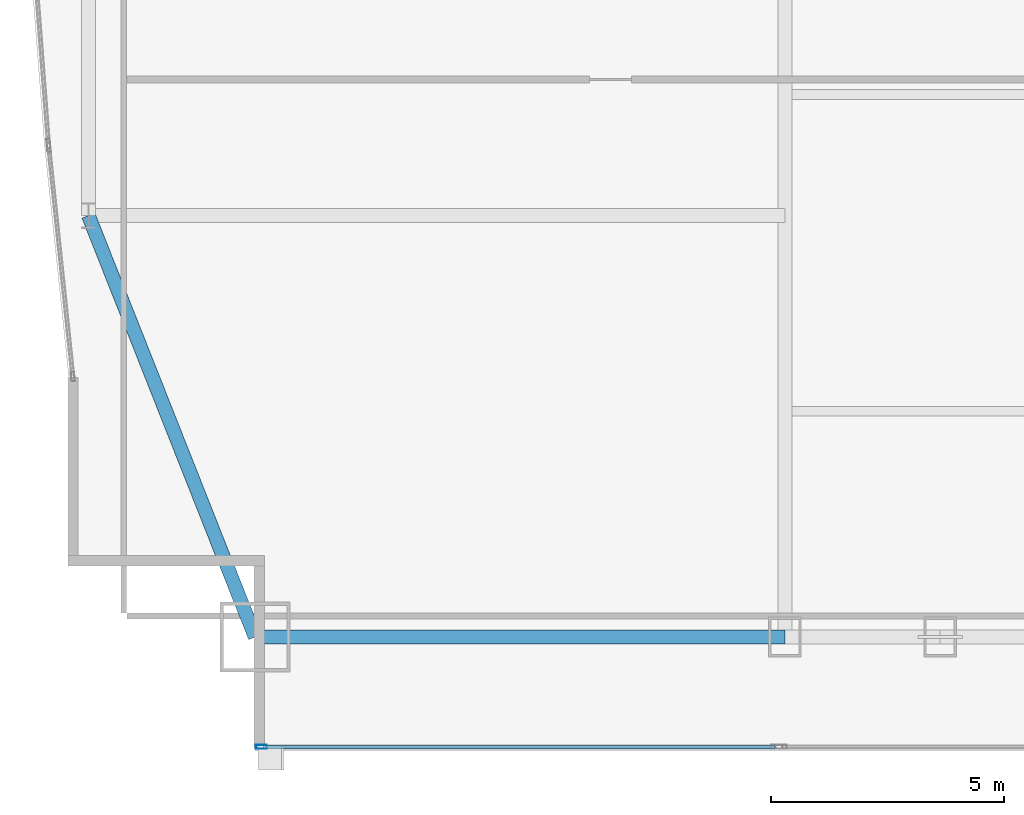
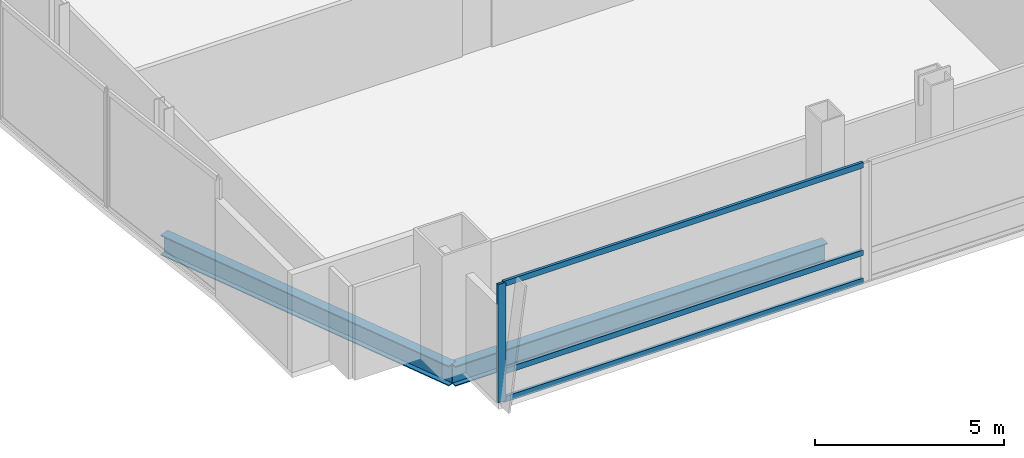
# One storey, part 5 of 30: 4 members, 2 beams, 1 element without a shape of its own.
"""IFC4 building model written with IfcOpenShell, lengths in metres."""

from ifc_helpers import new_model, si_unit, direction, frame, origin, origin_2d, place, context, subcontext, project, spatial, hollow_rectangle, i_section, extrude, material, material_profile, profile_set, type_object, element, aggregate, save


model = new_model("IFC4")

# Units and contexts
model_context = context("Model", 3, precision=1e-05, world=origin(), true_north=direction((0.0, 1.0)))
body_context = subcontext(model_context, "Body", "Model", "MODEL_VIEW")
ifc_project = project(units=[si_unit("LENGTHUNIT", "METRE"), si_unit("AREAUNIT", "SQUARE_METRE"), si_unit("VOLUMEUNIT", "CUBIC_METRE"), si_unit("PLANEANGLEUNIT", "RADIAN"), si_unit("MASSUNIT", "GRAM", prefix="KILO")], contexts=[model_context])

# Site, building, storey
site_placement = place(None, origin())
site = spatial("IfcSite", under=ifc_project, at=site_placement, CompositionType="ELEMENT")
building_placement = place(site_placement, origin())
building = spatial("IfcBuilding", under=site, at=building_placement, Name="Khoronbel Lancet Exchange", CompositionType="ELEMENT")
storey_placement = place(building_placement, frame((0.0, 0.0, 90.60009765625)))
storey = spatial("IfcBuildingStorey", under=building, at=storey_placement, Name="L21", CompositionType="ELEMENT", Elevation=90.60009765625)

# Beams
ifc_material_1 = material(Name="Steel S355", Category="steel")
ifc_material_profile_1 = material_profile(ifc_material_1, i_section(OverallWidth=0.300048828125, OverallDepth=0.64990234375, WebThickness=0.01611328125, FlangeThickness=0.031005859375, at=origin_2d()), Name="HEB 650")
ifc_profile_set_1 = profile_set([ifc_material_profile_1], Name="Steel S355")
beam_type = type_object("IfcBeamType", Name="BM-BSP1", PredefinedType="SPANDREL", material=ifc_profile_set_1)
beam_1_placement = place(storey_placement, frame((6.85009765625, 10.14990234375, -0.505126953125), z_axis=(1.0, 0.0, 0.0), x_axis=(0.0, 1.0, 0.0)))
element("IfcBeam", 1, at=beam_1_placement, inside=storey, type_object=beam_type, Name="Level L21 perimeter spandrel beam SP01", PredefinedType="SPANDREL", context=body_context, shape_type="SweptSolid", body=[
    extrude(i_section(OverallWidth=0.300048828125, OverallDepth=0.64990234375, WebThickness=0.01611328125, FlangeThickness=0.031005859375, at=origin_2d()), origin(), (0.0, 0.0, 1.0), 11.375),
])
beam_2_placement = place(storey_placement, frame((3.27001953125, 19.199951171875, -0.505126953125), z_axis=(0.367850095026, -0.92988510451, 0.0), x_axis=(0.92988510451, 0.367850095026, 0.0)))
element("IfcBeam", 2, at=beam_2_placement, inside=storey, type_object=beam_type, Name="Level L21 perimeter spandrel beam SP21", PredefinedType="SPANDREL", context=body_context, shape_type="SweptSolid", body=[
    extrude(i_section(OverallWidth=0.300048828125, OverallDepth=0.64990234375, WebThickness=0.01611328125, FlangeThickness=0.031005859375, at=origin_2d()), origin(), (0.0, 0.0, 1.0), 9.732421875),
])

# Curtain wall, members
ifc_material_2 = material(Name="Low-E Solar Control Insulating Glass", Category="glass")
curtain_wall_type = type_object("IfcCurtainWallType", Name="CW-2", PredefinedType="NOTDEFINED", material=ifc_material_2)
curtain_wall_placement = place(storey_placement, origin())
curtain_wall = element("IfcCurtainWall", 3, at=curtain_wall_placement, inside=storey, type_object=curtain_wall_type, Name="Unitised curtain wall CW-L21-SWV", PredefinedType="NOTDEFINED")
ifc_material_3 = material(Name="Bronze-Anodised Aluminium 6063-T6", Category="aluminium")
ifc_material_profile_2 = material_profile(ifc_material_3, hollow_rectangle(XDim=0.0849609375, YDim=0.239990234375, WallThickness=0.006103515625, at=origin_2d()), Name="ALU MULLION 85x240")
ifc_profile_set_2 = profile_set([ifc_material_profile_2], Name="Bronze-Anodised Aluminium 6063-T6")
member_type_1 = type_object("IfcMemberType", Name="MEM-CWM1", PredefinedType="MULLION", material=ifc_profile_set_2)
member_1_placement = place(storey_placement, frame((6.982421875, 7.7900390625, 0.0), z_axis=(0.0, 0.0, 1.0), x_axis=(0.0, 1.0, 0.0)))
member_1 = element("IfcMember", 4, at=member_1_placement, type_object=member_type_1, Name="CW2 mullion 1", PredefinedType="MULLION", context=body_context, shape_type="SweptSolid", body=[
    extrude(hollow_rectangle(XDim=0.0849609375, YDim=0.239990234375, WallThickness=0.006103515625, at=origin_2d()), origin(), (0.0, 0.0, 1.0), 3.81982421875),
])
ifc_material_profile_3 = material_profile(ifc_material_3, hollow_rectangle(XDim=0.0849609375, YDim=0.179931640625, WallThickness=0.0048828125, at=origin_2d()), Name="ALU TRANSOM 85x180")
ifc_profile_set_3 = profile_set([ifc_material_profile_3], Name="Bronze-Anodised Aluminium 6063-T6")
member_type_2 = type_object("IfcMemberType", Name="MEM-CWT1", PredefinedType="USERDEFINED", material=ifc_profile_set_3)
member_2_placement = place(storey_placement, frame((7.02490234375, 7.7900390625, 0.04248046875), z_axis=(1.0, 0.0, 0.0), x_axis=(0.0, 1.0, 0.0)))
member_2 = element("IfcMember", 5, at=member_2_placement, type_object=member_type_2, Name="CW2 transom 1.1", ObjectType="TRANSOM", PredefinedType="USERDEFINED", context=body_context, shape_type="SweptSolid", body=[
    extrude(hollow_rectangle(XDim=0.0849609375, YDim=0.179931640625, WallThickness=0.0048828125, at=origin_2d()), origin(), (0.0, 0.0, 1.0), 10.989990234375),
])
member_3_placement = place(storey_placement, frame((7.02490234375, 7.7900390625, 0.949951171875), z_axis=(1.0, 0.0, 0.0), x_axis=(0.0, 1.0, 0.0)))
member_3 = element("IfcMember", 6, at=member_3_placement, type_object=member_type_2, Name="CW2 transom 1.2", ObjectType="TRANSOM", PredefinedType="USERDEFINED", context=body_context, shape_type="SweptSolid", body=[
    extrude(hollow_rectangle(XDim=0.0849609375, YDim=0.179931640625, WallThickness=0.0048828125, at=origin_2d()), origin(), (0.0, 0.0, 1.0), 10.989990234375),
])
member_4_placement = place(storey_placement, frame((7.02490234375, 7.7900390625, 3.77734375), z_axis=(1.0, 0.0, 0.0), x_axis=(0.0, 1.0, 0.0)))
member_4 = element("IfcMember", 7, at=member_4_placement, type_object=member_type_2, Name="CW2 transom 1.3", ObjectType="TRANSOM", PredefinedType="USERDEFINED", context=body_context, shape_type="SweptSolid", body=[
    extrude(hollow_rectangle(XDim=0.0849609375, YDim=0.179931640625, WallThickness=0.0048828125, at=origin_2d()), origin(), (0.0, 0.0, 1.0), 10.989990234375),
])
aggregate(curtain_wall, [member_1, member_2, member_3, member_4])

save(model, "model.ifc")
